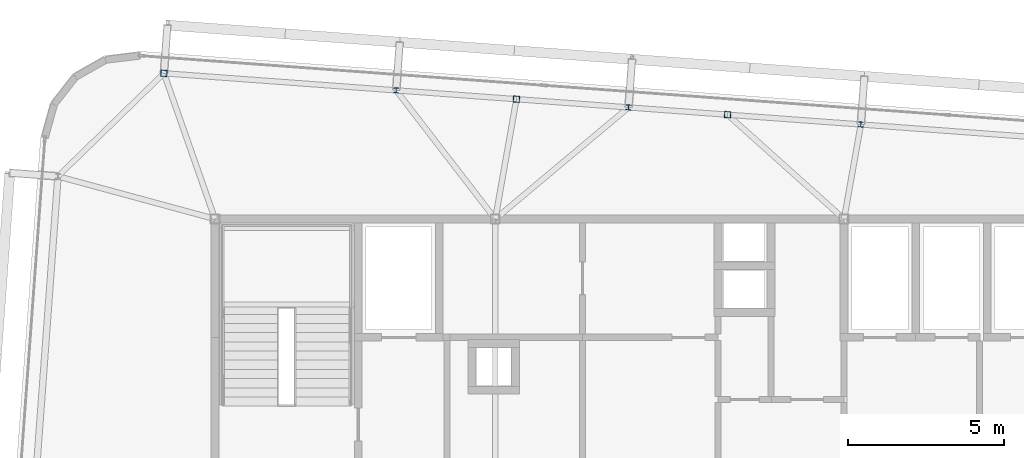
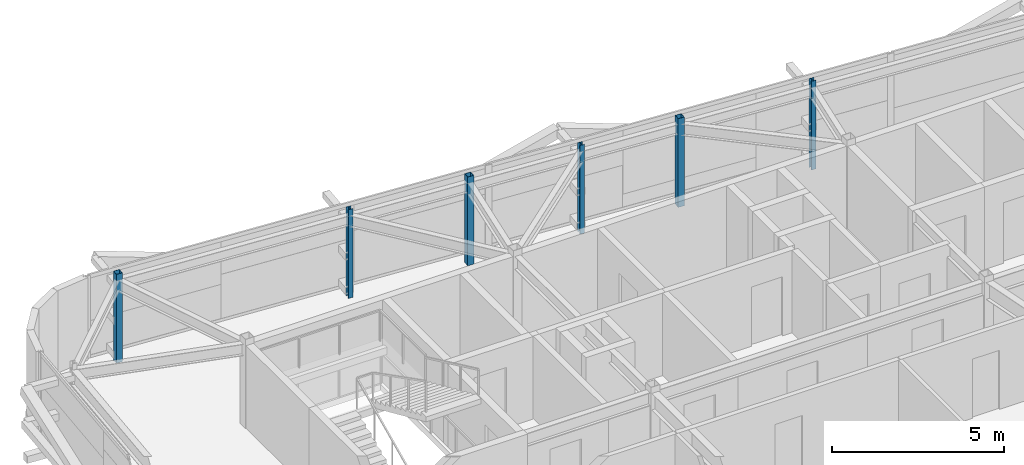
# One storey, part 7 of 34: 6 columns.
"""IFC4 building model written with IfcOpenShell, lengths in metres."""

from ifc_helpers import new_model, si_unit, direction, frame, origin, origin_2d, place, context, subcontext, project, spatial, hollow_rectangle, i_section, extrude, source, transform, mapped, material, material_profile, profile_set, type_object, element, save


model = new_model("IFC4")

# Units and contexts
model_context = context("Model", 3, precision=1e-05, world=origin(), true_north=direction((0.0, 1.0)))
body_context = subcontext(model_context, "Body", "Model", "MODEL_VIEW")
ifc_project = project(units=[si_unit("LENGTHUNIT", "METRE"), si_unit("AREAUNIT", "SQUARE_METRE"), si_unit("VOLUMEUNIT", "CUBIC_METRE"), si_unit("PLANEANGLEUNIT", "RADIAN"), si_unit("MASSUNIT", "GRAM", prefix="KILO")], contexts=[model_context])

# Site, building, storey
site_placement = place(None, origin())
site = spatial("IfcSite", under=ifc_project, at=site_placement, CompositionType="ELEMENT")
building_placement = place(site_placement, origin())
building = spatial("IfcBuilding", under=site, at=building_placement, Name="Taldren Reach Tower", CompositionType="ELEMENT")
storey_placement = place(building_placement, frame((0.0, 0.0, 246.050048828125)))
storey = spatial("IfcBuildingStorey", under=building, at=storey_placement, Name="L75", CompositionType="ELEMENT", Elevation=246.050048828125)

# Columns
ifc_material_1 = material(Name="Steel Gr 350 (C350L0)", Category="steel")
ifc_material_profile_1 = material_profile(ifc_material_1, hollow_rectangle(XDim=0.199951171875, YDim=0.199951171875, WallThickness=0.009033203125, at=origin_2d()), Name="200x200x9.0SHS")
ifc_profile_set_1 = profile_set([ifc_material_profile_1], Name="Steel Gr 350 (C350L0)")
column_type_1 = type_object("IfcColumnType", Name="COL-SHS200", PredefinedType="COLUMN", material=ifc_profile_set_1)
shared_shape_1 = source(origin(), body_context, "Body", "SweptSolid", [
    extrude(hollow_rectangle(XDim=0.199951171875, YDim=0.199951171875, WallThickness=0.009033203125, at=origin_2d()), origin(), (0.0, 0.0, 1.0), 3.14990234375),
])
for number, where, z_axis, x_axis, name in (
    (1, (17.35986328125, 36.678955078125, 0.0), (0.0, 0.0, 1.0), (0.997314477224, -0.073238197128, 0.0), "Block B5 perimeter column N1 L75"),
    (2, (28.67919921875, 35.84765625, 0.0), (0.0, 0.0, 1.0), (0.997314477224, -0.073238197128, 0.0), "Block B5 perimeter column PJN1 L75"),
    (3, (35.4609375, 35.349609375, 0.0), (0.0, 0.0, 1.0), (0.997314477224, -0.073238197128, 0.0), "Block B5 perimeter column PJN2 L75"),
):
    element("IfcColumn", number, at=place(storey_placement, frame(where, z_axis=z_axis, x_axis=x_axis)), inside=storey, type_object=column_type_1, Name=name, PredefinedType="COLUMN", context=body_context, shape_type="MappedRepresentation", body=[
        mapped(shared_shape_1, transform((0.0, 0.0, 0.0), scale=1.0)),
    ])
ifc_material_2 = material(Name="Steel Gr 350 (350PLUS)", Category="steel")
ifc_material_profile_2 = material_profile(ifc_material_2, i_section(OverallWidth=0.154052734375, OverallDepth=0.162109375, WebThickness=0.008056640625, FlangeThickness=0.011474609375, at=origin_2d()), Name="150UC37.2")
ifc_profile_set_2 = profile_set([ifc_material_profile_2], Name="Steel Gr 350 (350PLUS)")
column_type_2 = type_object("IfcColumnType", Name="COL-UC150", PredefinedType="COLUMN", material=ifc_profile_set_2)
shared_shape_2 = source(origin(), body_context, "Body", "SweptSolid", [
    extrude(i_section(OverallWidth=0.154052734375, OverallDepth=0.162109375, WebThickness=0.008056640625, FlangeThickness=0.011474609375, at=origin_2d()), origin(), (0.0, 0.0, 1.0), 3.14990234375),
])
for number, where, z_axis, x_axis, name in (
    (4, (24.819580078125, 36.131103515625, 0.0), (0.0, 0.0, 1.0), (0.997314477224, -0.073238197128, 0.0), "Block B5 perimeter column N2 L75"),
    (5, (32.279541015625, 35.583251953125, 0.0), (0.0, 0.0, 1.0), (0.997314477224, -0.073238197128, 0.0), "Block B5 perimeter column N3 L75"),
    (6, (39.739501953125, 35.035400390625, 0.0), (0.0, 0.0, 1.0), (0.997314477224, -0.073238197128, 0.0), "Block B5 perimeter column N4 L75"),
):
    element("IfcColumn", number, at=place(storey_placement, frame(where, z_axis=z_axis, x_axis=x_axis)), inside=storey, type_object=column_type_2, Name=name, PredefinedType="COLUMN", context=body_context, shape_type="MappedRepresentation", body=[
        mapped(shared_shape_2, transform((0.0, 0.0, 0.0), scale=1.0)),
    ])

save(model, "model.ifc")
